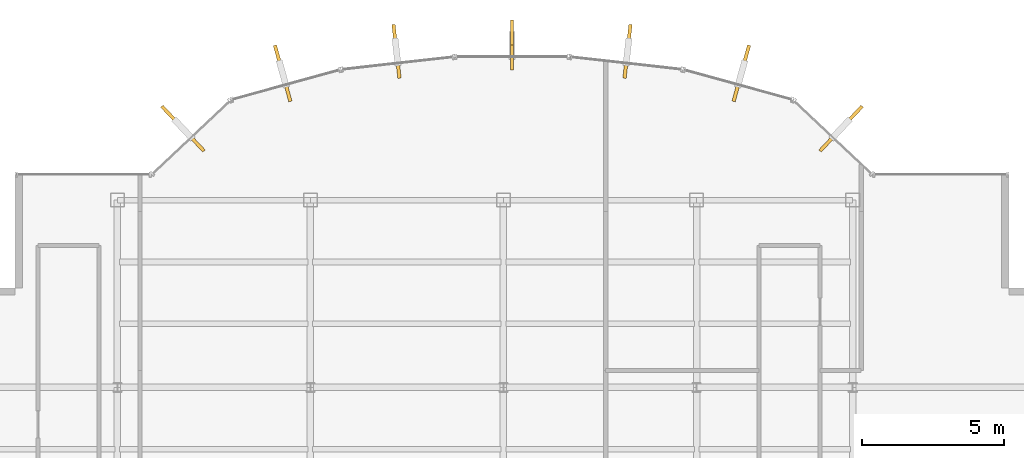
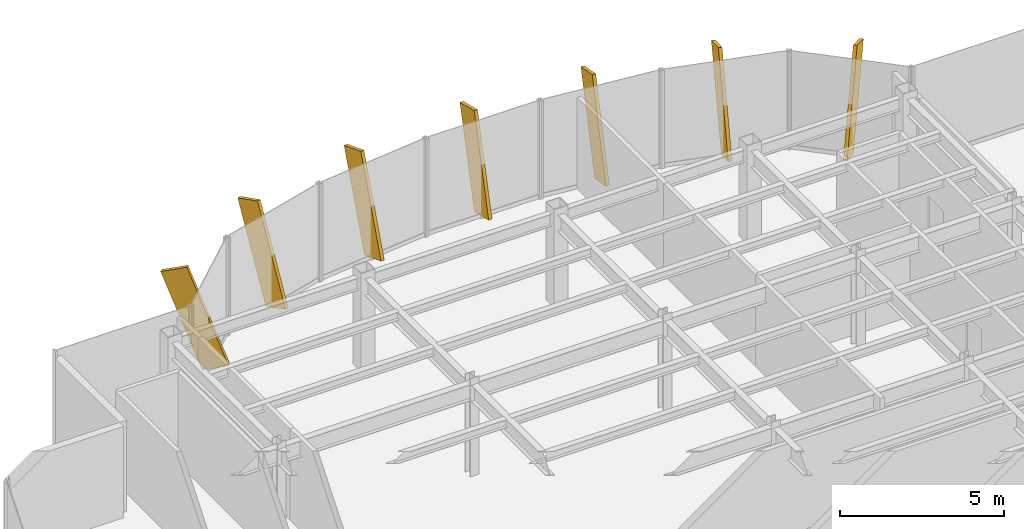
# One storey, part 21 of 22: 7 shading devices.
"""IFC4 building model written with IfcOpenShell, lengths in metres."""

from ifc_helpers import new_model, si_unit, derived_unit, direction, frame, origin, origin_2d, place, context, subcontext, project, spatial, rectangle, extrude, source, transform, mapped, material, type_object, element, save


model = new_model("IFC4")

# Units and contexts
model_context = context("Model", 3, precision=1e-05, world=origin(), true_north=direction((0.0, 1.0)))
body_context = subcontext(model_context, "Body", "Model", "MODEL_VIEW")
ifc_project = project(units=[si_unit("LENGTHUNIT", "METRE"), si_unit("AREAUNIT", "SQUARE_METRE"), si_unit("VOLUMEUNIT", "CUBIC_METRE"), si_unit("PLANEANGLEUNIT", "RADIAN"), si_unit("MASSUNIT", "GRAM", prefix="KILO"), derived_unit("THERMALTRANSMITTANCEUNIT", [(si_unit("POWERUNIT", "WATT"), 1), (si_unit("LENGTHUNIT", "METRE"), -2), (si_unit("THERMODYNAMICTEMPERATUREUNIT", "KELVIN"), -1)])], contexts=[model_context])

# Site, building, storey
site_placement = place(None, origin())
site = spatial("IfcSite", under=ifc_project, at=site_placement, CompositionType="ELEMENT")
building_placement = place(site_placement, origin())
building = spatial("IfcBuilding", under=site, at=building_placement, Name="Skarnbrae Concourse Arena and Tower", CompositionType="ELEMENT")
storey_placement = place(building_placement, frame((0.0, 0.0, 240.550048828125)))
storey = spatial("IfcBuildingStorey", under=building, at=storey_placement, Name="L62", CompositionType="ELEMENT", Elevation=240.550048828125)

# Shading devices
ifc_material = material(Name="Bronze anodised aluminium 6063-T6", Category="aluminium")
shading_device_type = type_object("IfcShadingDeviceType", Name="SHD-BRONZE-FIN-900", PredefinedType="USERDEFINED", material=ifc_material)
shared_shape = source(origin(), body_context, "Body", "SweptSolid", [
    extrude(rectangle(XDim=0.1201171875, YDim=0.89990234375, at=origin_2d()), origin(), (0.0, 0.0, 1.0), 3.64990234375),
])
for number, where, z_axis, x_axis, name in (
    (1, (32.63720703125, 36.435302734375, 0.125244140625), (0.249654525872, 0.265205022033, 0.931310320999), (0.728131751529, -0.685437198009, 0.0), "L62 Outward-leaning bronze shading fin 08"),
    (2, (29.419921875, 38.288330078125, 0.101318359375), (0.087333025047, 0.316887720193, 0.944433753911), (0.964058316208, -0.265690728011, 0.0), "L62 Outward-leaning bronze shading fin 09"),
    (3, (25.51025390625, 39.12060546875, 0.076171875), (0.031877702712, 0.284240906458, 0.95822279203), (0.993769864509, -0.111451587667, 0.0), "L62 Outward-leaning bronze shading fin 10"),
    (4, (21.5, 39.42529296875, 0.05419921875), (0.0, 0.2419218956, 0.970295726276), (1.0, 0.0, 0.0), "L62 Outward-leaning bronze shading fin 11"),
    (5, (17.48974609375, 39.12060546875, 0.076171875), (-0.031877702712, 0.284240906458, 0.95822279203), (0.993769864509, 0.111451587667, 0.0), "L62 Outward-leaning bronze shading fin 12"),
    (6, (13.580078125, 38.288330078125, 0.101318359375), (-0.087333025047, 0.316887720193, 0.944433753911), (0.964058316208, 0.265690728011, 0.0), "L62 Outward-leaning bronze shading fin 13"),
    (7, (10.36279296875, 36.435302734375, 0.125244140625), (-0.249654525872, 0.265205022033, 0.931310320999), (0.728131751529, 0.685437198009, 0.0), "L62 Outward-leaning bronze shading fin 14"),
):
    element("IfcShadingDevice", number, at=place(storey_placement, frame(where, z_axis=z_axis, x_axis=x_axis)), inside=storey, type_object=shading_device_type, Name=name, ObjectType="FIN", PredefinedType="USERDEFINED", context=body_context, shape_type="MappedRepresentation", body=[
        mapped(shared_shape, transform((0.0, 0.0, 0.0))),
    ])

save(model, "model.ifc")
